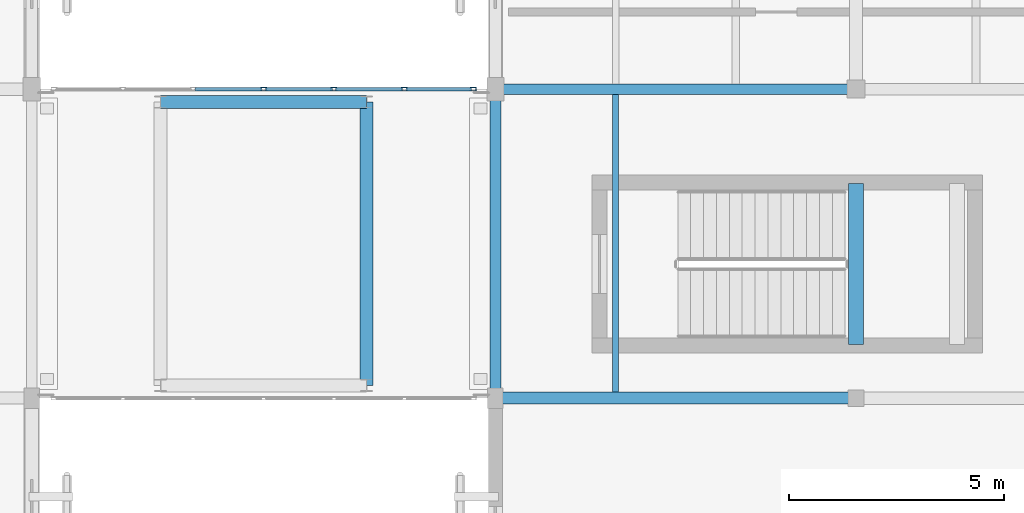
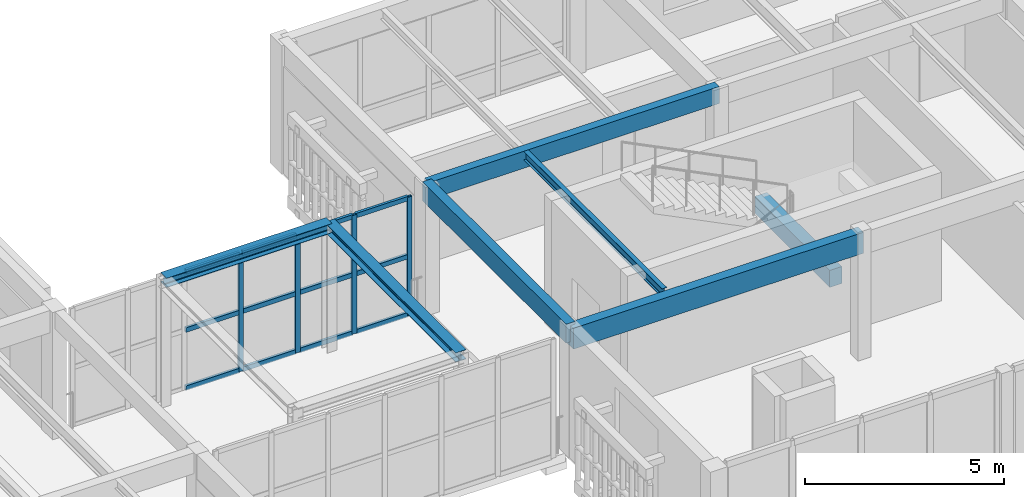
# One storey, part 23 of 217: 16 members, 7 beams, 1 element without a shape of its own.
"""IFC4 building model written with IfcOpenShell, lengths in metres."""

from ifc_helpers import new_model, si_unit, direction, frame, origin, origin_2d, place, context, subcontext, project, spatial, rectangle, hollow_rectangle, i_section, extrude, material, layer, layer_set, material_profile, profile_set, type_object, element, aggregate, save


model = new_model("IFC4")

# Units and contexts
model_context = context("Model", 3, precision=1e-05, world=origin(), true_north=direction((0.0, 1.0)))
body_context = subcontext(model_context, "Body", "Model", "MODEL_VIEW")
ifc_project = project(units=[si_unit("LENGTHUNIT", "METRE"), si_unit("AREAUNIT", "SQUARE_METRE"), si_unit("VOLUMEUNIT", "CUBIC_METRE"), si_unit("PLANEANGLEUNIT", "RADIAN"), si_unit("MASSUNIT", "GRAM", prefix="KILO")], contexts=[model_context])

# Site, building, storey
site_placement = place(None, origin())
site = spatial("IfcSite", under=ifc_project, at=site_placement, CompositionType="ELEMENT")
building_placement = place(site_placement, origin())
building = spatial("IfcBuilding", under=site, at=building_placement, Name="Mazaris Harbour Polytechnic", CompositionType="ELEMENT")
storey_placement = place(building_placement, frame((0.0, 0.0, 9.60009765625)))
storey = spatial("IfcBuildingStorey", under=building, at=storey_placement, Name="L02", CompositionType="ELEMENT", Elevation=9.60009765625)

# Curtain wall, members
ifc_material_1 = material(Name="Anodised Bronze Aluminium and Low-E Glass", Category="aluminium")
ifc_layer = layer(ifc_material_1, 0.139892578125, Name="Anodised Bronze Aluminium and Low-E Glass")
ifc_layer_set = layer_set([ifc_layer], Name="Anodised Bronze Aluminium and Low-E Glass")
curtain_wall_type = type_object("IfcCurtainWallType", Name="Seismic Link Bridge Glazing", PredefinedType="NOTDEFINED", material=ifc_layer_set)
curtain_wall_placement = place(storey_placement, origin())
curtain_wall = element("IfcCurtainWall", 1, at=curtain_wall_placement, inside=storey, type_object=curtain_wall_type, Name="PB-W1 L02 Bridge Glazing", PredefinedType="NOTDEFINED")
ifc_material_2 = material(Name="Anodised Bronze Steel S355", Category="steel")
ifc_material_profile_1 = material_profile(ifc_material_2, hollow_rectangle(XDim=0.080078125, YDim=0.139892578125, WallThickness=0.00634765625, at=origin_2d()), Name="RHS 80x140x6.3")
ifc_profile_set_1 = profile_set([ifc_material_profile_1], Name="Anodised Bronze Steel S355")
member_type_1 = type_object("IfcMemberType", Name="Curtain Mullion RHS80x140", PredefinedType="MULLION", material=ifc_profile_set_1)
member_1_placement = place(storey_placement, frame((53.47998046875, 28.800048828125, 0.0), z_axis=(0.0, 0.0, 1.0), x_axis=(0.0, -1.0, 0.0)))
member_1 = element("IfcMember", 2, at=member_1_placement, type_object=member_type_1, Name="CW-05 mullion 1", PredefinedType="MULLION", context=body_context, shape_type="SweptSolid", body=[
    extrude(hollow_rectangle(XDim=0.080078125, YDim=0.139892578125, WallThickness=0.00634765625, at=origin_2d()), origin(), (0.0, 0.0, 1.0), 3.635009765625),
])
member_2_placement = place(storey_placement, frame((51.8798828125, 28.800048828125, 0.0), z_axis=(0.0, 0.0, 1.0), x_axis=(0.0, -1.0, 0.0)))
member_2 = element("IfcMember", 3, at=member_2_placement, type_object=member_type_1, Name="CW-05 mullion 2", PredefinedType="MULLION", context=body_context, shape_type="SweptSolid", body=[
    extrude(hollow_rectangle(XDim=0.080078125, YDim=0.139892578125, WallThickness=0.00634765625, at=origin_2d()), origin(), (0.0, 0.0, 1.0), 3.635009765625),
])
member_3_placement = place(storey_placement, frame((50.239990234375, 28.800048828125, 0.0), z_axis=(0.0, 0.0, 1.0), x_axis=(0.0, -1.0, 0.0)))
member_3 = element("IfcMember", 4, at=member_3_placement, type_object=member_type_1, Name="CW-05 mullion 3", PredefinedType="MULLION", context=body_context, shape_type="SweptSolid", body=[
    extrude(hollow_rectangle(XDim=0.080078125, YDim=0.139892578125, WallThickness=0.00634765625, at=origin_2d()), origin(), (0.0, 0.0, 1.0), 3.635009765625),
])
member_4_placement = place(storey_placement, frame((48.60009765625, 28.800048828125, 0.0), z_axis=(0.0, 0.0, 1.0), x_axis=(0.0, -1.0, 0.0)))
member_4 = element("IfcMember", 5, at=member_4_placement, type_object=member_type_1, Name="CW-05 mullion 4", PredefinedType="MULLION", context=body_context, shape_type="SweptSolid", body=[
    extrude(hollow_rectangle(XDim=0.080078125, YDim=0.139892578125, WallThickness=0.00634765625, at=origin_2d()), origin(), (0.0, 0.0, 1.0), 3.635009765625),
])
ifc_material_3 = material(Name="Anodised Bronze Steel S355", Category="steel")
ifc_material_profile_2 = material_profile(ifc_material_3, hollow_rectangle(XDim=0.080078125, YDim=0.139892578125, WallThickness=0.00634765625, at=origin_2d()), Name="RHS 80x140x6.3")
ifc_profile_set_2 = profile_set([ifc_material_profile_2], Name="Anodised Bronze Steel S355")
member_type_2 = type_object("IfcMemberType", Name="Curtain Transom RHS80x140", PredefinedType="USERDEFINED", material=ifc_profile_set_2)
member_5_placement = place(storey_placement, frame((53.43994140625, 28.800048828125, 0.039794921875), z_axis=(-1.0, 0.0, 0.0), x_axis=(0.0, -1.0, 0.0)))
member_5 = element("IfcMember", 6, at=member_5_placement, type_object=member_type_2, Name="CW-05 transom 1.1", ObjectType="TRANSOM", PredefinedType="USERDEFINED", context=body_context, shape_type="SweptSolid", body=[
    extrude(hollow_rectangle(XDim=0.080078125, YDim=0.139892578125, WallThickness=0.00634765625, at=origin_2d()), origin(), (0.0, 0.0, 1.0), 1.52001953125),
])
member_6_placement = place(storey_placement, frame((53.43994140625, 28.800048828125, 1.8173828125), z_axis=(-1.0, 0.0, 0.0), x_axis=(0.0, -1.0, 0.0)))
member_6 = element("IfcMember", 7, at=member_6_placement, type_object=member_type_2, Name="CW-05 transom 1.2", ObjectType="TRANSOM", PredefinedType="USERDEFINED", context=body_context, shape_type="SweptSolid", body=[
    extrude(hollow_rectangle(XDim=0.080078125, YDim=0.139892578125, WallThickness=0.00634765625, at=origin_2d()), origin(), (0.0, 0.0, 1.0), 1.52001953125),
])
member_7_placement = place(storey_placement, frame((53.43994140625, 28.800048828125, 3.594970703125), z_axis=(-1.0, 0.0, 0.0), x_axis=(0.0, -1.0, 0.0)))
member_7 = element("IfcMember", 8, at=member_7_placement, type_object=member_type_2, Name="CW-05 transom 1.3", ObjectType="TRANSOM", PredefinedType="USERDEFINED", context=body_context, shape_type="SweptSolid", body=[
    extrude(hollow_rectangle(XDim=0.080078125, YDim=0.139892578125, WallThickness=0.00634765625, at=origin_2d()), origin(), (0.0, 0.0, 1.0), 1.52001953125),
])
member_8_placement = place(storey_placement, frame((51.840087890625, 28.800048828125, 0.039794921875), z_axis=(-1.0, 0.0, 0.0), x_axis=(0.0, -1.0, 0.0)))
member_8 = element("IfcMember", 9, at=member_8_placement, type_object=member_type_2, Name="CW-05 transom 2.1", ObjectType="TRANSOM", PredefinedType="USERDEFINED", context=body_context, shape_type="SweptSolid", body=[
    extrude(hollow_rectangle(XDim=0.080078125, YDim=0.139892578125, WallThickness=0.00634765625, at=origin_2d()), origin(), (0.0, 0.0, 1.0), 1.56005859375),
])
member_9_placement = place(storey_placement, frame((51.840087890625, 28.800048828125, 1.8173828125), z_axis=(-1.0, 0.0, 0.0), x_axis=(0.0, -1.0, 0.0)))
member_9 = element("IfcMember", 10, at=member_9_placement, type_object=member_type_2, Name="CW-05 transom 2.2", ObjectType="TRANSOM", PredefinedType="USERDEFINED", context=body_context, shape_type="SweptSolid", body=[
    extrude(hollow_rectangle(XDim=0.080078125, YDim=0.139892578125, WallThickness=0.00634765625, at=origin_2d()), origin(), (0.0, 0.0, 1.0), 1.56005859375),
])
member_10_placement = place(storey_placement, frame((51.840087890625, 28.800048828125, 3.594970703125), z_axis=(-1.0, 0.0, 0.0), x_axis=(0.0, -1.0, 0.0)))
member_10 = element("IfcMember", 11, at=member_10_placement, type_object=member_type_2, Name="CW-05 transom 2.3", ObjectType="TRANSOM", PredefinedType="USERDEFINED", context=body_context, shape_type="SweptSolid", body=[
    extrude(hollow_rectangle(XDim=0.080078125, YDim=0.139892578125, WallThickness=0.00634765625, at=origin_2d()), origin(), (0.0, 0.0, 1.0), 1.56005859375),
])
member_11_placement = place(storey_placement, frame((50.199951171875, 28.800048828125, 0.039794921875), z_axis=(-1.0, 0.0, 0.0), x_axis=(0.0, -1.0, 0.0)))
member_11 = element("IfcMember", 12, at=member_11_placement, type_object=member_type_2, Name="CW-05 transom 3.1", ObjectType="TRANSOM", PredefinedType="USERDEFINED", context=body_context, shape_type="SweptSolid", body=[
    extrude(hollow_rectangle(XDim=0.080078125, YDim=0.139892578125, WallThickness=0.00634765625, at=origin_2d()), origin(), (0.0, 0.0, 1.0), 1.56005859375),
])
member_12_placement = place(storey_placement, frame((50.199951171875, 28.800048828125, 1.8173828125), z_axis=(-1.0, 0.0, 0.0), x_axis=(0.0, -1.0, 0.0)))
member_12 = element("IfcMember", 13, at=member_12_placement, type_object=member_type_2, Name="CW-05 transom 3.2", ObjectType="TRANSOM", PredefinedType="USERDEFINED", context=body_context, shape_type="SweptSolid", body=[
    extrude(hollow_rectangle(XDim=0.080078125, YDim=0.139892578125, WallThickness=0.00634765625, at=origin_2d()), origin(), (0.0, 0.0, 1.0), 1.56005859375),
])
member_13_placement = place(storey_placement, frame((50.199951171875, 28.800048828125, 3.594970703125), z_axis=(-1.0, 0.0, 0.0), x_axis=(0.0, -1.0, 0.0)))
member_13 = element("IfcMember", 14, at=member_13_placement, type_object=member_type_2, Name="CW-05 transom 3.3", ObjectType="TRANSOM", PredefinedType="USERDEFINED", context=body_context, shape_type="SweptSolid", body=[
    extrude(hollow_rectangle(XDim=0.080078125, YDim=0.139892578125, WallThickness=0.00634765625, at=origin_2d()), origin(), (0.0, 0.0, 1.0), 1.56005859375),
])
member_14_placement = place(storey_placement, frame((48.56005859375, 28.800048828125, 0.039794921875), z_axis=(-1.0, 0.0, 0.0), x_axis=(0.0, -1.0, 0.0)))
member_14 = element("IfcMember", 15, at=member_14_placement, type_object=member_type_2, Name="CW-05 transom 4.1", ObjectType="TRANSOM", PredefinedType="USERDEFINED", context=body_context, shape_type="SweptSolid", body=[
    extrude(hollow_rectangle(XDim=0.080078125, YDim=0.139892578125, WallThickness=0.00634765625, at=origin_2d()), origin(), (0.0, 0.0, 1.0), 1.56005859375),
])
member_15_placement = place(storey_placement, frame((48.56005859375, 28.800048828125, 1.8173828125), z_axis=(-1.0, 0.0, 0.0), x_axis=(0.0, -1.0, 0.0)))
member_15 = element("IfcMember", 16, at=member_15_placement, type_object=member_type_2, Name="CW-05 transom 4.2", ObjectType="TRANSOM", PredefinedType="USERDEFINED", context=body_context, shape_type="SweptSolid", body=[
    extrude(hollow_rectangle(XDim=0.080078125, YDim=0.139892578125, WallThickness=0.00634765625, at=origin_2d()), origin(), (0.0, 0.0, 1.0), 1.56005859375),
])
member_16_placement = place(storey_placement, frame((48.56005859375, 28.800048828125, 3.594970703125), z_axis=(-1.0, 0.0, 0.0), x_axis=(0.0, -1.0, 0.0)))
member_16 = element("IfcMember", 17, at=member_16_placement, type_object=member_type_2, Name="CW-05 transom 4.3", ObjectType="TRANSOM", PredefinedType="USERDEFINED", context=body_context, shape_type="SweptSolid", body=[
    extrude(hollow_rectangle(XDim=0.080078125, YDim=0.139892578125, WallThickness=0.00634765625, at=origin_2d()), origin(), (0.0, 0.0, 1.0), 1.56005859375),
])
aggregate(curtain_wall, [member_1, member_2, member_3, member_4, member_5, member_6, member_7, member_8, member_9, member_10, member_11, member_12, member_13, member_14, member_15, member_16])

# Beams
ifc_material_4 = material(Name="Glulam GL32h", Category="wood")
ifc_material_profile_3 = material_profile(ifc_material_4, rectangle(XDim=0.239990234375, YDim=0.52001953125, at=origin_2d()), Name="RECT240x520")
ifc_profile_set_3 = profile_set([ifc_material_profile_3], Name="Glulam GL32h")
beam_type_1 = type_object("IfcBeamType", Name="Glulam Girder 240x520", PredefinedType="BEAM", material=ifc_profile_set_3)
beam_1_placement = place(storey_placement, frame((54.0, 28.800048828125, 3.6748046875), z_axis=(1.0, 0.0, 0.0), x_axis=(0.0, 1.0, 0.0)))
element("IfcBeam", 18, at=beam_1_placement, inside=storey, type_object=beam_type_1, Name="V3 L02 Girder 1060", PredefinedType="BEAM", context=body_context, shape_type="SweptSolid", body=[
    extrude(rectangle(XDim=0.239990234375, YDim=0.52001953125, at=origin_2d()), origin(), (0.0, 0.0, 1.0), 8.39990234375),
])
ifc_material_5 = material(Name="Glulam GL32h", Category="wood")
ifc_material_profile_4 = material_profile(ifc_material_5, rectangle(XDim=0.260009765625, YDim=0.580078125, at=origin_2d()), Name="RECT260x580")
ifc_profile_set_4 = profile_set([ifc_material_profile_4], Name="Glulam GL32h")
beam_type_2 = type_object("IfcBeamType", Name="Glulam Girder 260x580 Exterior", PredefinedType="BEAM", material=ifc_profile_set_4)
beam_2_placement = place(storey_placement, frame((54.0, 21.60009765625, 3.64501953125), z_axis=(0.0, 1.0, 0.0), x_axis=(-1.0, 0.0, 0.0)))
element("IfcBeam", 19, at=beam_2_placement, inside=storey, type_object=beam_type_2, Name="V3 L02 Tie Girder 1066", PredefinedType="BEAM", context=body_context, shape_type="SweptSolid", body=[
    extrude(rectangle(XDim=0.260009765625, YDim=0.580078125, at=origin_2d()), origin(), (0.0, 0.0, 1.0), 7.199951171875),
])
ifc_material_6 = material(Name="Glulam GL32h", Category="wood")
ifc_material_profile_5 = material_profile(ifc_material_6, rectangle(XDim=0.280029296875, YDim=0.639892578125, at=origin_2d()), Name="RECT280x640")
ifc_profile_set_5 = profile_set([ifc_material_profile_5], Name="Glulam GL32h")
beam_type_3 = type_object("IfcBeamType", Name="Glulam Girder 280x640 Exterior", PredefinedType="BEAM", material=ifc_profile_set_5)
beam_3_placement = place(storey_placement, frame((54.0, 21.60009765625, 3.52978515625), z_axis=(1.0, 0.0, 0.0), x_axis=(0.0, 1.0, 0.0)))
element("IfcBeam", 20, at=beam_3_placement, inside=storey, type_object=beam_type_3, Name="V3 L02 Girder 1057", PredefinedType="BEAM", context=body_context, shape_type="SweptSolid", body=[
    extrude(rectangle(XDim=0.280029296875, YDim=0.639892578125, at=origin_2d()), origin(), (0.0, 0.0, 1.0), 8.39990234375),
])
ifc_material_7 = material(Name="Concrete C40/50", Category="concrete")
ifc_material_profile_6 = material_profile(ifc_material_7, rectangle(XDim=0.35009765625, YDim=0.52001953125, at=origin_2d()), Name="RECT350x520")
ifc_profile_set_6 = profile_set([ifc_material_profile_6], Name="Concrete C40/50")
beam_type_4 = type_object("IfcBeamType", Name="RC Landing Bearer 350x520", PredefinedType="BEAM", material=ifc_profile_set_6)
beam_4_placement = place(storey_placement, frame((62.39990234375, 22.85009765625, 1.639892578125), z_axis=(0.0, 1.0, 0.0), x_axis=(-1.0, 0.0, 0.0)))
element("IfcBeam", 21, at=beam_4_placement, inside=storey, type_object=beam_type_4, Name="Core ST05 L02 Landing Bearer", PredefinedType="BEAM", context=body_context, shape_type="SweptSolid", body=[
    extrude(rectangle(XDim=0.35009765625, YDim=0.52001953125, at=origin_2d()), origin(), (0.0, 0.0, 1.0), 3.75),
])
ifc_material_8 = material(Name="Steel S355", Category="steel")
ifc_material_profile_7 = material_profile(ifc_material_8, i_section(OverallWidth=0.300048828125, OverallDepth=0.2900390625, WebThickness=0.008544921875, FlangeThickness=0.013916015625, FilletRadius=0.027099609375, at=origin_2d()), Name="HEA 300")
ifc_profile_set_7 = profile_set([ifc_material_profile_7], Name="Steel S355")
beam_type_5 = type_object("IfcBeamType", Name="Steel Beam HEA300 Exterior", PredefinedType="SPANDREL", material=ifc_profile_set_7)
beam_5_placement = place(storey_placement, frame((51.0, 21.89990234375, 3.789794921875), z_axis=(0.0, 1.0, 0.0), x_axis=(-1.0, 0.0, 0.0)))
element("IfcBeam", 22, at=beam_5_placement, inside=storey, type_object=beam_type_5, Name="PB-W1 L02 Bridge Beam 3413", PredefinedType="SPANDREL", context=body_context, shape_type="SweptSolid", body=[
    extrude(i_section(OverallWidth=0.300048828125, OverallDepth=0.2900390625, WebThickness=0.008544921875, FlangeThickness=0.013916015625, FilletRadius=0.027099609375, at=origin_2d()), origin(), (0.0, 0.0, 1.0), 6.60009765625),
])
beam_6_placement = place(storey_placement, frame((46.199951171875, 28.5, 3.789794921875), z_axis=(1.0, 0.0, 0.0), x_axis=(0.0, 1.0, 0.0)))
element("IfcBeam", 23, at=beam_6_placement, inside=storey, type_object=beam_type_5, Name="PB-W1 L02 Bridge Beam 3414", PredefinedType="SPANDREL", context=body_context, shape_type="SweptSolid", body=[
    extrude(i_section(OverallWidth=0.300048828125, OverallDepth=0.2900390625, WebThickness=0.008544921875, FlangeThickness=0.013916015625, FilletRadius=0.027099609375, at=origin_2d()), origin(), (0.0, 0.0, 1.0), 4.800048828125),
])
ifc_material_9 = material(Name="Steel S355", Category="steel")
ifc_material_profile_8 = material_profile(ifc_material_9, i_section(OverallWidth=0.135009765625, OverallDepth=0.27001953125, WebThickness=0.006591796875, FlangeThickness=0.01025390625, FilletRadius=0.014892578125, at=origin_2d()), Name="IPE 270")
ifc_profile_set_8 = profile_set([ifc_material_profile_8], Name="Steel S355")
beam_type_6 = type_object("IfcBeamType", Name="Steel Joist IPE270", PredefinedType="JOIST", material=ifc_profile_set_8)
beam_7_placement = place(storey_placement, frame((56.800048828125, 21.739990234375, 3.7998046875), z_axis=(0.0, 1.0, 0.0), x_axis=(-1.0, 0.0, 0.0)))
element("IfcBeam", 24, at=beam_7_placement, inside=storey, type_object=beam_type_6, Name="V3 L02 Floor Joist 1073", PredefinedType="JOIST", context=body_context, shape_type="SweptSolid", body=[
    extrude(i_section(OverallWidth=0.135009765625, OverallDepth=0.27001953125, WebThickness=0.006591796875, FlangeThickness=0.01025390625, FilletRadius=0.014892578125, at=origin_2d()), origin(), (0.0, 0.0, 1.0), 6.93994140625),
])

save(model, "model.ifc")
